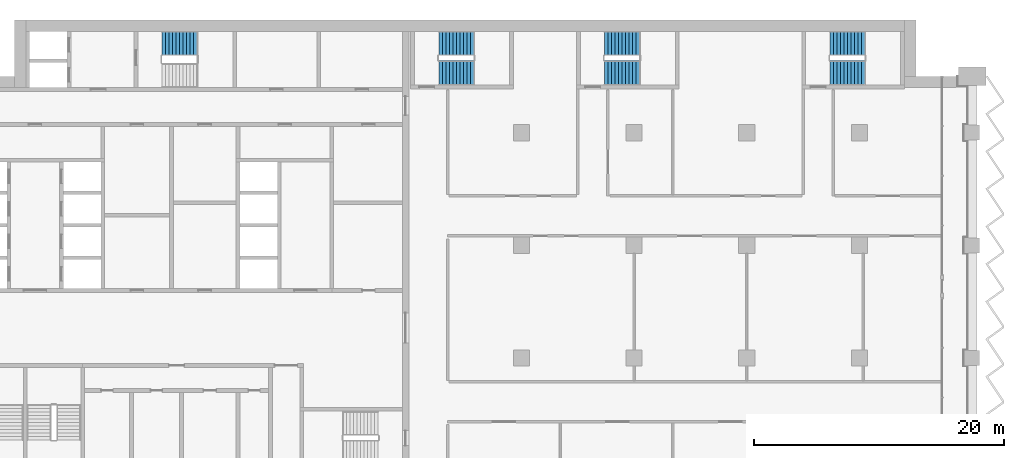
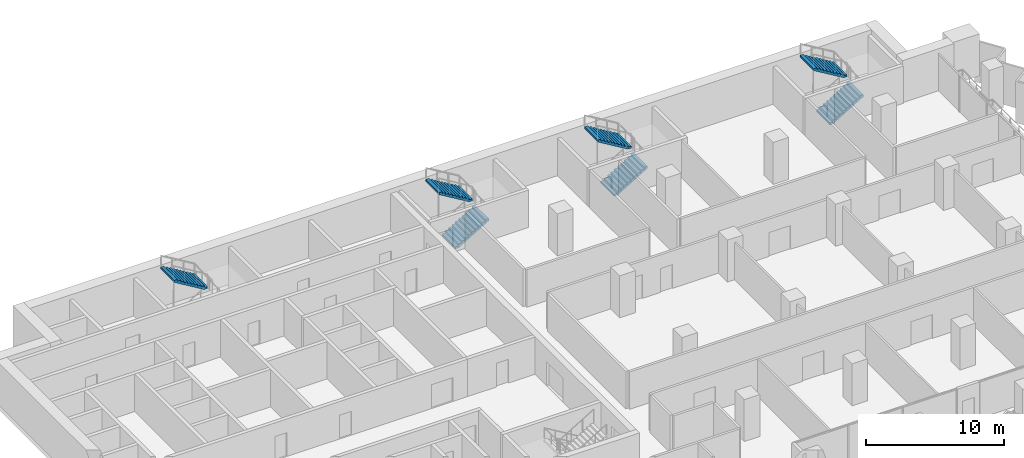
# One storey, part 17 of 22: 7 stair flights, 4 elements without a shape of their own.
"""IFC4 building model written with IfcOpenShell, lengths in metres."""

from ifc_helpers import new_model, si_unit, direction, frame, origin, place, context, subcontext, project, spatial, polyline, outline, extrude, material, type_object, element, aggregate, save


model = new_model("IFC4")

# Units and contexts
model_context = context("Model", 3, precision=1e-05, world=origin(), true_north=direction((0.0, 1.0)))
body_context = subcontext(model_context, "Body", "Model", "MODEL_VIEW")
ifc_project = project(units=[si_unit("LENGTHUNIT", "METRE"), si_unit("AREAUNIT", "SQUARE_METRE"), si_unit("VOLUMEUNIT", "CUBIC_METRE"), si_unit("PLANEANGLEUNIT", "RADIAN"), si_unit("MASSUNIT", "GRAM", prefix="KILO")], contexts=[model_context])

# Site, building, storey
site_placement = place(None, origin())
site = spatial("IfcSite", under=ifc_project, at=site_placement, CompositionType="ELEMENT")
building_placement = place(site_placement, origin())
building = spatial("IfcBuilding", under=site, at=building_placement, Name="Hunhe Ridgeline Campus", CompositionType="ELEMENT")
storey_placement = place(building_placement, frame((0.0, 0.0, 88.5)))
storey = spatial("IfcBuildingStorey", under=building, at=storey_placement, Name="L21", CompositionType="ELEMENT", Elevation=88.5)

# Stair, stair flight
ifc_material = material(Name="Concrete C40", Category="concrete")
stair_type = type_object("IfcStairType", Name="Reinforced concrete dog-leg stair 1950 Concrete C40", PredefinedType="HALF_TURN_STAIR", material=ifc_material)
stair_1_placement = place(storey_placement, origin())
stair_1 = element("IfcStair", 1, at=stair_1_placement, inside=storey, type_object=stair_type, Name="L21 S1", PredefinedType="HALF_TURN_STAIR")
stair_flight_type = type_object("IfcStairFlightType", Name="Reinforced concrete stair flight 1950 Concrete C40", PredefinedType="STRAIGHT", material=ifc_material)
stair_flight_1_placement = place(storey_placement, frame((19.10009765625, 97.125, 1.85009765625), z_axis=(0.0, 0.0, 1.0), x_axis=(-1.0, 0.0, 0.0)))
stair_flight_1 = element("IfcStairFlight", 2, at=stair_flight_1_placement, type_object=stair_flight_type, Name="ST1 flight 2", NumberOfRisers=11, NumberOfTreads=10, PredefinedType="STRAIGHT", RiserHeight=0.168181818, TreadLength=0.28, context=body_context, shape_type="SweptSolid", body=[
    extrude(outline(polyline([(0.0, 0.0), (0.0, 0.168212890625), (0.280029296875, 0.168212890625), (0.280029296875, 0.33642578125), (0.56005859375, 0.33642578125), (0.56005859375, 0.504638671875), (0.840087890625, 0.504638671875), (0.840087890625, 0.672607421875), (1.1201171875, 0.672607421875), (1.1201171875, 0.8408203125), (1.39990234375, 0.8408203125), (1.39990234375, 1.009033203125), (1.679931640625, 1.009033203125), (1.679931640625, 1.17724609375), (1.9599609375, 1.17724609375), (1.9599609375, 1.345458984375), (2.239990234375, 1.345458984375), (2.239990234375, 1.513671875), (2.52001953125, 1.513671875), (2.52001953125, 1.681884765625), (2.800048828125, 1.681884765625), (2.800048828125, 1.85009765625), (2.800048828125, 1.5068359375), (0.291015625, 0.0), (0.0, 0.0)])), frame((0.0, 0.97509765625, 0.0), z_axis=(0.0, -1.0, 0.0), x_axis=(1.0, 0.0, 0.0)), (0.0, 0.0, 1.0), 1.949951171875),
    extrude(outline(polyline([(0.030029296875, 0.030029296875), (0.030029296875, 0.13818359375), (0.31005859375, 0.13818359375), (0.31005859375, 0.306396484375), (0.590087890625, 0.306396484375), (0.590087890625, 0.474609375), (0.8701171875, 0.474609375), (0.8701171875, 0.642578125), (1.14990234375, 0.642578125), (1.14990234375, 0.810791015625), (1.429931640625, 0.810791015625), (1.429931640625, 0.97900390625), (1.7099609375, 0.97900390625), (1.7099609375, 1.147216796875), (1.989990234375, 1.147216796875), (1.989990234375, 1.3154296875), (2.27001953125, 1.3154296875), (2.27001953125, 1.483642578125), (2.550048828125, 1.483642578125), (2.550048828125, 1.65185546875), (2.77001953125, 1.65185546875), (2.77001953125, 1.52392578125), (0.28271484375, 0.030029296875), (0.030029296875, 0.030029296875)])), frame((0.0, -0.070068359375, 0.0), z_axis=(0.0, -1.0, 0.0), x_axis=(1.0, 0.0, 0.0)), (0.0, 0.0, 1.0), 0.019775390625),
    extrude(outline(polyline([(0.030029296875, 0.030029296875), (0.030029296875, 0.13818359375), (0.31005859375, 0.13818359375), (0.31005859375, 0.306396484375), (0.590087890625, 0.306396484375), (0.590087890625, 0.474609375), (0.8701171875, 0.474609375), (0.8701171875, 0.642578125), (1.14990234375, 0.642578125), (1.14990234375, 0.810791015625), (1.429931640625, 0.810791015625), (1.429931640625, 0.97900390625), (1.7099609375, 0.97900390625), (1.7099609375, 1.147216796875), (1.989990234375, 1.147216796875), (1.989990234375, 1.3154296875), (2.27001953125, 1.3154296875), (2.27001953125, 1.483642578125), (2.550048828125, 1.483642578125), (2.550048828125, 1.65185546875), (2.77001953125, 1.65185546875), (2.77001953125, 1.52392578125), (0.28271484375, 0.030029296875), (0.030029296875, 0.030029296875)])), frame((0.0, 0.010009765625, 0.0), z_axis=(0.0, -1.0, 0.0), x_axis=(1.0, 0.0, 0.0)), (0.0, 0.0, 1.0), 0.019775390625),
    extrude(outline(polyline([(0.030029296875, 0.030029296875), (0.030029296875, 0.13818359375), (0.31005859375, 0.13818359375), (0.31005859375, 0.306396484375), (0.590087890625, 0.306396484375), (0.590087890625, 0.474609375), (0.8701171875, 0.474609375), (0.8701171875, 0.642578125), (1.14990234375, 0.642578125), (1.14990234375, 0.810791015625), (1.429931640625, 0.810791015625), (1.429931640625, 0.97900390625), (1.7099609375, 0.97900390625), (1.7099609375, 1.147216796875), (1.989990234375, 1.147216796875), (1.989990234375, 1.3154296875), (2.27001953125, 1.3154296875), (2.27001953125, 1.483642578125), (2.550048828125, 1.483642578125), (2.550048828125, 1.65185546875), (2.77001953125, 1.65185546875), (2.77001953125, 1.52392578125), (0.28271484375, 0.030029296875), (0.030029296875, 0.030029296875)])), frame((0.0, 0.090087890625, 0.0), z_axis=(0.0, -1.0, 0.0), x_axis=(1.0, 0.0, 0.0)), (0.0, 0.0, 1.0), 0.019775390625),
])
aggregate(stair_1, [stair_flight_1])

# Stair, stair flights
stair_2_placement = place(storey_placement, origin())
stair_2 = element("IfcStair", 3, at=stair_2_placement, inside=storey, type_object=stair_type, Name="L21 E1", PredefinedType="HALF_TURN_STAIR")
stair_flight_2_placement = place(storey_placement, frame((38.39990234375, 94.77490234375, 0.0), z_axis=(0.0, 0.0, 1.0), x_axis=(1.0, 0.0, 0.0)))
stair_flight_2 = element("IfcStairFlight", 4, at=stair_flight_2_placement, type_object=stair_flight_type, Name="ST5 flight 1", NumberOfRisers=11, NumberOfTreads=10, PredefinedType="STRAIGHT", RiserHeight=0.168181818, TreadLength=0.28, context=body_context, shape_type="SweptSolid", body=[
    extrude(outline(polyline([(0.0, 0.0), (0.0, 0.168212890625), (0.280029296875, 0.168212890625), (0.280029296875, 0.33642578125), (0.56005859375, 0.33642578125), (0.56005859375, 0.504638671875), (0.840087890625, 0.504638671875), (0.840087890625, 0.672607421875), (1.1201171875, 0.672607421875), (1.1201171875, 0.8408203125), (1.39990234375, 0.8408203125), (1.39990234375, 1.009033203125), (1.679931640625, 1.009033203125), (1.679931640625, 1.17724609375), (1.9599609375, 1.17724609375), (1.9599609375, 1.345458984375), (2.239990234375, 1.345458984375), (2.239990234375, 1.513671875), (2.52001953125, 1.513671875), (2.52001953125, 1.681884765625), (2.800048828125, 1.681884765625), (2.800048828125, 1.85009765625), (2.800048828125, 1.5068359375), (0.291015625, 0.0), (0.0, 0.0)])), frame((0.0, 0.97509765625, 0.0), z_axis=(0.0, -1.0, 0.0), x_axis=(1.0, 0.0, 0.0)), (0.0, 0.0, 1.0), 1.949951171875),
    extrude(outline(polyline([(0.030029296875, 0.030029296875), (0.030029296875, 0.13818359375), (0.31005859375, 0.13818359375), (0.31005859375, 0.306396484375), (0.590087890625, 0.306396484375), (0.590087890625, 0.474609375), (0.8701171875, 0.474609375), (0.8701171875, 0.642578125), (1.14990234375, 0.642578125), (1.14990234375, 0.810791015625), (1.429931640625, 0.810791015625), (1.429931640625, 0.97900390625), (1.7099609375, 0.97900390625), (1.7099609375, 1.147216796875), (1.989990234375, 1.147216796875), (1.989990234375, 1.3154296875), (2.27001953125, 1.3154296875), (2.27001953125, 1.483642578125), (2.550048828125, 1.483642578125), (2.550048828125, 1.65185546875), (2.77001953125, 1.65185546875), (2.77001953125, 1.52392578125), (0.28271484375, 0.030029296875), (0.030029296875, 0.030029296875)])), frame((0.0, -0.070068359375, 0.0), z_axis=(0.0, -1.0, 0.0), x_axis=(1.0, 0.0, 0.0)), (0.0, 0.0, 1.0), 0.019775390625),
    extrude(outline(polyline([(0.030029296875, 0.030029296875), (0.030029296875, 0.13818359375), (0.31005859375, 0.13818359375), (0.31005859375, 0.306396484375), (0.590087890625, 0.306396484375), (0.590087890625, 0.474609375), (0.8701171875, 0.474609375), (0.8701171875, 0.642578125), (1.14990234375, 0.642578125), (1.14990234375, 0.810791015625), (1.429931640625, 0.810791015625), (1.429931640625, 0.97900390625), (1.7099609375, 0.97900390625), (1.7099609375, 1.147216796875), (1.989990234375, 1.147216796875), (1.989990234375, 1.3154296875), (2.27001953125, 1.3154296875), (2.27001953125, 1.483642578125), (2.550048828125, 1.483642578125), (2.550048828125, 1.65185546875), (2.77001953125, 1.65185546875), (2.77001953125, 1.52392578125), (0.28271484375, 0.030029296875), (0.030029296875, 0.030029296875)])), frame((0.0, 0.010009765625, 0.0), z_axis=(0.0, -1.0, 0.0), x_axis=(1.0, 0.0, 0.0)), (0.0, 0.0, 1.0), 0.019775390625),
    extrude(outline(polyline([(0.030029296875, 0.030029296875), (0.030029296875, 0.13818359375), (0.31005859375, 0.13818359375), (0.31005859375, 0.306396484375), (0.590087890625, 0.306396484375), (0.590087890625, 0.474609375), (0.8701171875, 0.474609375), (0.8701171875, 0.642578125), (1.14990234375, 0.642578125), (1.14990234375, 0.810791015625), (1.429931640625, 0.810791015625), (1.429931640625, 0.97900390625), (1.7099609375, 0.97900390625), (1.7099609375, 1.147216796875), (1.989990234375, 1.147216796875), (1.989990234375, 1.3154296875), (2.27001953125, 1.3154296875), (2.27001953125, 1.483642578125), (2.550048828125, 1.483642578125), (2.550048828125, 1.65185546875), (2.77001953125, 1.65185546875), (2.77001953125, 1.52392578125), (0.28271484375, 0.030029296875), (0.030029296875, 0.030029296875)])), frame((0.0, 0.090087890625, 0.0), z_axis=(0.0, -1.0, 0.0), x_axis=(1.0, 0.0, 0.0)), (0.0, 0.0, 1.0), 0.019775390625),
])
stair_flight_3_placement = place(storey_placement, frame((41.199951171875, 97.125, 1.85009765625), z_axis=(0.0, 0.0, 1.0), x_axis=(-1.0, 0.0, 0.0)))
stair_flight_3 = element("IfcStairFlight", 5, at=stair_flight_3_placement, type_object=stair_flight_type, Name="ST5 flight 2", NumberOfRisers=11, NumberOfTreads=10, PredefinedType="STRAIGHT", RiserHeight=0.168181818, TreadLength=0.28, context=body_context, shape_type="SweptSolid", body=[
    extrude(outline(polyline([(0.0, 0.0), (0.0, 0.168212890625), (0.280029296875, 0.168212890625), (0.280029296875, 0.33642578125), (0.56005859375, 0.33642578125), (0.56005859375, 0.504638671875), (0.840087890625, 0.504638671875), (0.840087890625, 0.672607421875), (1.1201171875, 0.672607421875), (1.1201171875, 0.8408203125), (1.39990234375, 0.8408203125), (1.39990234375, 1.009033203125), (1.679931640625, 1.009033203125), (1.679931640625, 1.17724609375), (1.9599609375, 1.17724609375), (1.9599609375, 1.345458984375), (2.239990234375, 1.345458984375), (2.239990234375, 1.513671875), (2.52001953125, 1.513671875), (2.52001953125, 1.681884765625), (2.800048828125, 1.681884765625), (2.800048828125, 1.85009765625), (2.800048828125, 1.5068359375), (0.291015625, 0.0), (0.0, 0.0)])), frame((0.0, 0.97509765625, 0.0), z_axis=(0.0, -1.0, 0.0), x_axis=(1.0, 0.0, 0.0)), (0.0, 0.0, 1.0), 1.949951171875),
    extrude(outline(polyline([(0.030029296875, 0.030029296875), (0.030029296875, 0.13818359375), (0.31005859375, 0.13818359375), (0.31005859375, 0.306396484375), (0.590087890625, 0.306396484375), (0.590087890625, 0.474609375), (0.8701171875, 0.474609375), (0.8701171875, 0.642578125), (1.14990234375, 0.642578125), (1.14990234375, 0.810791015625), (1.429931640625, 0.810791015625), (1.429931640625, 0.97900390625), (1.7099609375, 0.97900390625), (1.7099609375, 1.147216796875), (1.989990234375, 1.147216796875), (1.989990234375, 1.3154296875), (2.27001953125, 1.3154296875), (2.27001953125, 1.483642578125), (2.550048828125, 1.483642578125), (2.550048828125, 1.65185546875), (2.77001953125, 1.65185546875), (2.77001953125, 1.52392578125), (0.28271484375, 0.030029296875), (0.030029296875, 0.030029296875)])), frame((0.0, -0.070068359375, 0.0), z_axis=(0.0, -1.0, 0.0), x_axis=(1.0, 0.0, 0.0)), (0.0, 0.0, 1.0), 0.019775390625),
    extrude(outline(polyline([(0.030029296875, 0.030029296875), (0.030029296875, 0.13818359375), (0.31005859375, 0.13818359375), (0.31005859375, 0.306396484375), (0.590087890625, 0.306396484375), (0.590087890625, 0.474609375), (0.8701171875, 0.474609375), (0.8701171875, 0.642578125), (1.14990234375, 0.642578125), (1.14990234375, 0.810791015625), (1.429931640625, 0.810791015625), (1.429931640625, 0.97900390625), (1.7099609375, 0.97900390625), (1.7099609375, 1.147216796875), (1.989990234375, 1.147216796875), (1.989990234375, 1.3154296875), (2.27001953125, 1.3154296875), (2.27001953125, 1.483642578125), (2.550048828125, 1.483642578125), (2.550048828125, 1.65185546875), (2.77001953125, 1.65185546875), (2.77001953125, 1.52392578125), (0.28271484375, 0.030029296875), (0.030029296875, 0.030029296875)])), frame((0.0, 0.010009765625, 0.0), z_axis=(0.0, -1.0, 0.0), x_axis=(1.0, 0.0, 0.0)), (0.0, 0.0, 1.0), 0.019775390625),
    extrude(outline(polyline([(0.030029296875, 0.030029296875), (0.030029296875, 0.13818359375), (0.31005859375, 0.13818359375), (0.31005859375, 0.306396484375), (0.590087890625, 0.306396484375), (0.590087890625, 0.474609375), (0.8701171875, 0.474609375), (0.8701171875, 0.642578125), (1.14990234375, 0.642578125), (1.14990234375, 0.810791015625), (1.429931640625, 0.810791015625), (1.429931640625, 0.97900390625), (1.7099609375, 0.97900390625), (1.7099609375, 1.147216796875), (1.989990234375, 1.147216796875), (1.989990234375, 1.3154296875), (2.27001953125, 1.3154296875), (2.27001953125, 1.483642578125), (2.550048828125, 1.483642578125), (2.550048828125, 1.65185546875), (2.77001953125, 1.65185546875), (2.77001953125, 1.52392578125), (0.28271484375, 0.030029296875), (0.030029296875, 0.030029296875)])), frame((0.0, 0.090087890625, 0.0), z_axis=(0.0, -1.0, 0.0), x_axis=(1.0, 0.0, 0.0)), (0.0, 0.0, 1.0), 0.019775390625),
])
aggregate(stair_2, [stair_flight_2, stair_flight_3])

stair_3_placement = place(storey_placement, origin())
stair_3 = element("IfcStair", 6, at=stair_3_placement, inside=storey, type_object=stair_type, Name="L21 E2", PredefinedType="HALF_TURN_STAIR")
stair_flight_4_placement = place(storey_placement, frame((51.64990234375, 94.77490234375, 0.0), z_axis=(0.0, 0.0, 1.0), x_axis=(1.0, 0.0, 0.0)))
stair_flight_4 = element("IfcStairFlight", 7, at=stair_flight_4_placement, type_object=stair_flight_type, Name="ST6 flight 1", NumberOfRisers=11, NumberOfTreads=10, PredefinedType="STRAIGHT", RiserHeight=0.168181818, TreadLength=0.28, context=body_context, shape_type="SweptSolid", body=[
    extrude(outline(polyline([(0.0, 0.0), (0.0, 0.168212890625), (0.280029296875, 0.168212890625), (0.280029296875, 0.33642578125), (0.56005859375, 0.33642578125), (0.56005859375, 0.504638671875), (0.840087890625, 0.504638671875), (0.840087890625, 0.672607421875), (1.1201171875, 0.672607421875), (1.1201171875, 0.8408203125), (1.39990234375, 0.8408203125), (1.39990234375, 1.009033203125), (1.679931640625, 1.009033203125), (1.679931640625, 1.17724609375), (1.9599609375, 1.17724609375), (1.9599609375, 1.345458984375), (2.239990234375, 1.345458984375), (2.239990234375, 1.513671875), (2.52001953125, 1.513671875), (2.52001953125, 1.681884765625), (2.800048828125, 1.681884765625), (2.800048828125, 1.85009765625), (2.800048828125, 1.5068359375), (0.291015625, 0.0), (0.0, 0.0)])), frame((0.0, 0.97509765625, 0.0), z_axis=(0.0, -1.0, 0.0), x_axis=(1.0, 0.0, 0.0)), (0.0, 0.0, 1.0), 1.949951171875),
    extrude(outline(polyline([(0.030029296875, 0.030029296875), (0.030029296875, 0.13818359375), (0.31005859375, 0.13818359375), (0.31005859375, 0.306396484375), (0.590087890625, 0.306396484375), (0.590087890625, 0.474609375), (0.8701171875, 0.474609375), (0.8701171875, 0.642578125), (1.14990234375, 0.642578125), (1.14990234375, 0.810791015625), (1.429931640625, 0.810791015625), (1.429931640625, 0.97900390625), (1.7099609375, 0.97900390625), (1.7099609375, 1.147216796875), (1.989990234375, 1.147216796875), (1.989990234375, 1.3154296875), (2.27001953125, 1.3154296875), (2.27001953125, 1.483642578125), (2.550048828125, 1.483642578125), (2.550048828125, 1.65185546875), (2.77001953125, 1.65185546875), (2.77001953125, 1.52392578125), (0.28271484375, 0.030029296875), (0.030029296875, 0.030029296875)])), frame((0.0, -0.070068359375, 0.0), z_axis=(0.0, -1.0, 0.0), x_axis=(1.0, 0.0, 0.0)), (0.0, 0.0, 1.0), 0.019775390625),
    extrude(outline(polyline([(0.030029296875, 0.030029296875), (0.030029296875, 0.13818359375), (0.31005859375, 0.13818359375), (0.31005859375, 0.306396484375), (0.590087890625, 0.306396484375), (0.590087890625, 0.474609375), (0.8701171875, 0.474609375), (0.8701171875, 0.642578125), (1.14990234375, 0.642578125), (1.14990234375, 0.810791015625), (1.429931640625, 0.810791015625), (1.429931640625, 0.97900390625), (1.7099609375, 0.97900390625), (1.7099609375, 1.147216796875), (1.989990234375, 1.147216796875), (1.989990234375, 1.3154296875), (2.27001953125, 1.3154296875), (2.27001953125, 1.483642578125), (2.550048828125, 1.483642578125), (2.550048828125, 1.65185546875), (2.77001953125, 1.65185546875), (2.77001953125, 1.52392578125), (0.28271484375, 0.030029296875), (0.030029296875, 0.030029296875)])), frame((0.0, 0.010009765625, 0.0), z_axis=(0.0, -1.0, 0.0), x_axis=(1.0, 0.0, 0.0)), (0.0, 0.0, 1.0), 0.019775390625),
    extrude(outline(polyline([(0.030029296875, 0.030029296875), (0.030029296875, 0.13818359375), (0.31005859375, 0.13818359375), (0.31005859375, 0.306396484375), (0.590087890625, 0.306396484375), (0.590087890625, 0.474609375), (0.8701171875, 0.474609375), (0.8701171875, 0.642578125), (1.14990234375, 0.642578125), (1.14990234375, 0.810791015625), (1.429931640625, 0.810791015625), (1.429931640625, 0.97900390625), (1.7099609375, 0.97900390625), (1.7099609375, 1.147216796875), (1.989990234375, 1.147216796875), (1.989990234375, 1.3154296875), (2.27001953125, 1.3154296875), (2.27001953125, 1.483642578125), (2.550048828125, 1.483642578125), (2.550048828125, 1.65185546875), (2.77001953125, 1.65185546875), (2.77001953125, 1.52392578125), (0.28271484375, 0.030029296875), (0.030029296875, 0.030029296875)])), frame((0.0, 0.090087890625, 0.0), z_axis=(0.0, -1.0, 0.0), x_axis=(1.0, 0.0, 0.0)), (0.0, 0.0, 1.0), 0.019775390625),
])
stair_flight_5_placement = place(storey_placement, frame((54.449951171875, 97.125, 1.85009765625), z_axis=(0.0, 0.0, 1.0), x_axis=(-1.0, 0.0, 0.0)))
stair_flight_5 = element("IfcStairFlight", 8, at=stair_flight_5_placement, type_object=stair_flight_type, Name="ST6 flight 2", NumberOfRisers=11, NumberOfTreads=10, PredefinedType="STRAIGHT", RiserHeight=0.168181818, TreadLength=0.28, context=body_context, shape_type="SweptSolid", body=[
    extrude(outline(polyline([(0.0, 0.0), (0.0, 0.168212890625), (0.280029296875, 0.168212890625), (0.280029296875, 0.33642578125), (0.56005859375, 0.33642578125), (0.56005859375, 0.504638671875), (0.840087890625, 0.504638671875), (0.840087890625, 0.672607421875), (1.1201171875, 0.672607421875), (1.1201171875, 0.8408203125), (1.39990234375, 0.8408203125), (1.39990234375, 1.009033203125), (1.679931640625, 1.009033203125), (1.679931640625, 1.17724609375), (1.9599609375, 1.17724609375), (1.9599609375, 1.345458984375), (2.239990234375, 1.345458984375), (2.239990234375, 1.513671875), (2.52001953125, 1.513671875), (2.52001953125, 1.681884765625), (2.800048828125, 1.681884765625), (2.800048828125, 1.85009765625), (2.800048828125, 1.5068359375), (0.291015625, 0.0), (0.0, 0.0)])), frame((0.0, 0.97509765625, 0.0), z_axis=(0.0, -1.0, 0.0), x_axis=(1.0, 0.0, 0.0)), (0.0, 0.0, 1.0), 1.949951171875),
    extrude(outline(polyline([(0.030029296875, 0.030029296875), (0.030029296875, 0.13818359375), (0.31005859375, 0.13818359375), (0.31005859375, 0.306396484375), (0.590087890625, 0.306396484375), (0.590087890625, 0.474609375), (0.8701171875, 0.474609375), (0.8701171875, 0.642578125), (1.14990234375, 0.642578125), (1.14990234375, 0.810791015625), (1.429931640625, 0.810791015625), (1.429931640625, 0.97900390625), (1.7099609375, 0.97900390625), (1.7099609375, 1.147216796875), (1.989990234375, 1.147216796875), (1.989990234375, 1.3154296875), (2.27001953125, 1.3154296875), (2.27001953125, 1.483642578125), (2.550048828125, 1.483642578125), (2.550048828125, 1.65185546875), (2.77001953125, 1.65185546875), (2.77001953125, 1.52392578125), (0.28271484375, 0.030029296875), (0.030029296875, 0.030029296875)])), frame((0.0, -0.070068359375, 0.0), z_axis=(0.0, -1.0, 0.0), x_axis=(1.0, 0.0, 0.0)), (0.0, 0.0, 1.0), 0.019775390625),
    extrude(outline(polyline([(0.030029296875, 0.030029296875), (0.030029296875, 0.13818359375), (0.31005859375, 0.13818359375), (0.31005859375, 0.306396484375), (0.590087890625, 0.306396484375), (0.590087890625, 0.474609375), (0.8701171875, 0.474609375), (0.8701171875, 0.642578125), (1.14990234375, 0.642578125), (1.14990234375, 0.810791015625), (1.429931640625, 0.810791015625), (1.429931640625, 0.97900390625), (1.7099609375, 0.97900390625), (1.7099609375, 1.147216796875), (1.989990234375, 1.147216796875), (1.989990234375, 1.3154296875), (2.27001953125, 1.3154296875), (2.27001953125, 1.483642578125), (2.550048828125, 1.483642578125), (2.550048828125, 1.65185546875), (2.77001953125, 1.65185546875), (2.77001953125, 1.52392578125), (0.28271484375, 0.030029296875), (0.030029296875, 0.030029296875)])), frame((0.0, 0.010009765625, 0.0), z_axis=(0.0, -1.0, 0.0), x_axis=(1.0, 0.0, 0.0)), (0.0, 0.0, 1.0), 0.019775390625),
    extrude(outline(polyline([(0.030029296875, 0.030029296875), (0.030029296875, 0.13818359375), (0.31005859375, 0.13818359375), (0.31005859375, 0.306396484375), (0.590087890625, 0.306396484375), (0.590087890625, 0.474609375), (0.8701171875, 0.474609375), (0.8701171875, 0.642578125), (1.14990234375, 0.642578125), (1.14990234375, 0.810791015625), (1.429931640625, 0.810791015625), (1.429931640625, 0.97900390625), (1.7099609375, 0.97900390625), (1.7099609375, 1.147216796875), (1.989990234375, 1.147216796875), (1.989990234375, 1.3154296875), (2.27001953125, 1.3154296875), (2.27001953125, 1.483642578125), (2.550048828125, 1.483642578125), (2.550048828125, 1.65185546875), (2.77001953125, 1.65185546875), (2.77001953125, 1.52392578125), (0.28271484375, 0.030029296875), (0.030029296875, 0.030029296875)])), frame((0.0, 0.090087890625, 0.0), z_axis=(0.0, -1.0, 0.0), x_axis=(1.0, 0.0, 0.0)), (0.0, 0.0, 1.0), 0.019775390625),
])
aggregate(stair_3, [stair_flight_4, stair_flight_5])

stair_4_placement = place(storey_placement, origin())
stair_4 = element("IfcStair", 9, at=stair_4_placement, inside=storey, type_object=stair_type, Name="L21 E3", PredefinedType="HALF_TURN_STAIR")
stair_flight_6_placement = place(storey_placement, frame((69.64990234375, 94.77490234375, 0.0), z_axis=(0.0, 0.0, 1.0), x_axis=(1.0, 0.0, 0.0)))
stair_flight_6 = element("IfcStairFlight", 10, at=stair_flight_6_placement, type_object=stair_flight_type, Name="ST7 flight 1", NumberOfRisers=11, NumberOfTreads=10, PredefinedType="STRAIGHT", RiserHeight=0.168181818, TreadLength=0.28, context=body_context, shape_type="SweptSolid", body=[
    extrude(outline(polyline([(0.0, 0.0), (0.0, 0.168212890625), (0.280029296875, 0.168212890625), (0.280029296875, 0.33642578125), (0.56005859375, 0.33642578125), (0.56005859375, 0.504638671875), (0.840087890625, 0.504638671875), (0.840087890625, 0.672607421875), (1.1201171875, 0.672607421875), (1.1201171875, 0.8408203125), (1.39990234375, 0.8408203125), (1.39990234375, 1.009033203125), (1.679931640625, 1.009033203125), (1.679931640625, 1.17724609375), (1.9599609375, 1.17724609375), (1.9599609375, 1.345458984375), (2.239990234375, 1.345458984375), (2.239990234375, 1.513671875), (2.52001953125, 1.513671875), (2.52001953125, 1.681884765625), (2.800048828125, 1.681884765625), (2.800048828125, 1.85009765625), (2.800048828125, 1.5068359375), (0.291015625, 0.0), (0.0, 0.0)])), frame((0.0, 0.97509765625, 0.0), z_axis=(0.0, -1.0, 0.0), x_axis=(1.0, 0.0, 0.0)), (0.0, 0.0, 1.0), 1.949951171875),
    extrude(outline(polyline([(0.030029296875, 0.030029296875), (0.030029296875, 0.13818359375), (0.31005859375, 0.13818359375), (0.31005859375, 0.306396484375), (0.590087890625, 0.306396484375), (0.590087890625, 0.474609375), (0.8701171875, 0.474609375), (0.8701171875, 0.642578125), (1.14990234375, 0.642578125), (1.14990234375, 0.810791015625), (1.429931640625, 0.810791015625), (1.429931640625, 0.97900390625), (1.7099609375, 0.97900390625), (1.7099609375, 1.147216796875), (1.989990234375, 1.147216796875), (1.989990234375, 1.3154296875), (2.27001953125, 1.3154296875), (2.27001953125, 1.483642578125), (2.550048828125, 1.483642578125), (2.550048828125, 1.65185546875), (2.77001953125, 1.65185546875), (2.77001953125, 1.52392578125), (0.28271484375, 0.030029296875), (0.030029296875, 0.030029296875)])), frame((0.0, -0.070068359375, 0.0), z_axis=(0.0, -1.0, 0.0), x_axis=(1.0, 0.0, 0.0)), (0.0, 0.0, 1.0), 0.019775390625),
    extrude(outline(polyline([(0.030029296875, 0.030029296875), (0.030029296875, 0.13818359375), (0.31005859375, 0.13818359375), (0.31005859375, 0.306396484375), (0.590087890625, 0.306396484375), (0.590087890625, 0.474609375), (0.8701171875, 0.474609375), (0.8701171875, 0.642578125), (1.14990234375, 0.642578125), (1.14990234375, 0.810791015625), (1.429931640625, 0.810791015625), (1.429931640625, 0.97900390625), (1.7099609375, 0.97900390625), (1.7099609375, 1.147216796875), (1.989990234375, 1.147216796875), (1.989990234375, 1.3154296875), (2.27001953125, 1.3154296875), (2.27001953125, 1.483642578125), (2.550048828125, 1.483642578125), (2.550048828125, 1.65185546875), (2.77001953125, 1.65185546875), (2.77001953125, 1.52392578125), (0.28271484375, 0.030029296875), (0.030029296875, 0.030029296875)])), frame((0.0, 0.010009765625, 0.0), z_axis=(0.0, -1.0, 0.0), x_axis=(1.0, 0.0, 0.0)), (0.0, 0.0, 1.0), 0.019775390625),
    extrude(outline(polyline([(0.030029296875, 0.030029296875), (0.030029296875, 0.13818359375), (0.31005859375, 0.13818359375), (0.31005859375, 0.306396484375), (0.590087890625, 0.306396484375), (0.590087890625, 0.474609375), (0.8701171875, 0.474609375), (0.8701171875, 0.642578125), (1.14990234375, 0.642578125), (1.14990234375, 0.810791015625), (1.429931640625, 0.810791015625), (1.429931640625, 0.97900390625), (1.7099609375, 0.97900390625), (1.7099609375, 1.147216796875), (1.989990234375, 1.147216796875), (1.989990234375, 1.3154296875), (2.27001953125, 1.3154296875), (2.27001953125, 1.483642578125), (2.550048828125, 1.483642578125), (2.550048828125, 1.65185546875), (2.77001953125, 1.65185546875), (2.77001953125, 1.52392578125), (0.28271484375, 0.030029296875), (0.030029296875, 0.030029296875)])), frame((0.0, 0.090087890625, 0.0), z_axis=(0.0, -1.0, 0.0), x_axis=(1.0, 0.0, 0.0)), (0.0, 0.0, 1.0), 0.019775390625),
])
stair_flight_7_placement = place(storey_placement, frame((72.449951171875, 97.125, 1.85009765625), z_axis=(0.0, 0.0, 1.0), x_axis=(-1.0, 0.0, 0.0)))
stair_flight_7 = element("IfcStairFlight", 11, at=stair_flight_7_placement, type_object=stair_flight_type, Name="ST7 flight 2", NumberOfRisers=11, NumberOfTreads=10, PredefinedType="STRAIGHT", RiserHeight=0.168181818, TreadLength=0.28, context=body_context, shape_type="SweptSolid", body=[
    extrude(outline(polyline([(0.0, 0.0), (0.0, 0.168212890625), (0.280029296875, 0.168212890625), (0.280029296875, 0.33642578125), (0.56005859375, 0.33642578125), (0.56005859375, 0.504638671875), (0.840087890625, 0.504638671875), (0.840087890625, 0.672607421875), (1.1201171875, 0.672607421875), (1.1201171875, 0.8408203125), (1.39990234375, 0.8408203125), (1.39990234375, 1.009033203125), (1.679931640625, 1.009033203125), (1.679931640625, 1.17724609375), (1.9599609375, 1.17724609375), (1.9599609375, 1.345458984375), (2.239990234375, 1.345458984375), (2.239990234375, 1.513671875), (2.52001953125, 1.513671875), (2.52001953125, 1.681884765625), (2.800048828125, 1.681884765625), (2.800048828125, 1.85009765625), (2.800048828125, 1.5068359375), (0.291015625, 0.0), (0.0, 0.0)])), frame((0.0, 0.97509765625, 0.0), z_axis=(0.0, -1.0, 0.0), x_axis=(1.0, 0.0, 0.0)), (0.0, 0.0, 1.0), 1.949951171875),
    extrude(outline(polyline([(0.030029296875, 0.030029296875), (0.030029296875, 0.13818359375), (0.31005859375, 0.13818359375), (0.31005859375, 0.306396484375), (0.590087890625, 0.306396484375), (0.590087890625, 0.474609375), (0.8701171875, 0.474609375), (0.8701171875, 0.642578125), (1.14990234375, 0.642578125), (1.14990234375, 0.810791015625), (1.429931640625, 0.810791015625), (1.429931640625, 0.97900390625), (1.7099609375, 0.97900390625), (1.7099609375, 1.147216796875), (1.989990234375, 1.147216796875), (1.989990234375, 1.3154296875), (2.27001953125, 1.3154296875), (2.27001953125, 1.483642578125), (2.550048828125, 1.483642578125), (2.550048828125, 1.65185546875), (2.77001953125, 1.65185546875), (2.77001953125, 1.52392578125), (0.28271484375, 0.030029296875), (0.030029296875, 0.030029296875)])), frame((0.0, -0.070068359375, 0.0), z_axis=(0.0, -1.0, 0.0), x_axis=(1.0, 0.0, 0.0)), (0.0, 0.0, 1.0), 0.019775390625),
    extrude(outline(polyline([(0.030029296875, 0.030029296875), (0.030029296875, 0.13818359375), (0.31005859375, 0.13818359375), (0.31005859375, 0.306396484375), (0.590087890625, 0.306396484375), (0.590087890625, 0.474609375), (0.8701171875, 0.474609375), (0.8701171875, 0.642578125), (1.14990234375, 0.642578125), (1.14990234375, 0.810791015625), (1.429931640625, 0.810791015625), (1.429931640625, 0.97900390625), (1.7099609375, 0.97900390625), (1.7099609375, 1.147216796875), (1.989990234375, 1.147216796875), (1.989990234375, 1.3154296875), (2.27001953125, 1.3154296875), (2.27001953125, 1.483642578125), (2.550048828125, 1.483642578125), (2.550048828125, 1.65185546875), (2.77001953125, 1.65185546875), (2.77001953125, 1.52392578125), (0.28271484375, 0.030029296875), (0.030029296875, 0.030029296875)])), frame((0.0, 0.010009765625, 0.0), z_axis=(0.0, -1.0, 0.0), x_axis=(1.0, 0.0, 0.0)), (0.0, 0.0, 1.0), 0.019775390625),
    extrude(outline(polyline([(0.030029296875, 0.030029296875), (0.030029296875, 0.13818359375), (0.31005859375, 0.13818359375), (0.31005859375, 0.306396484375), (0.590087890625, 0.306396484375), (0.590087890625, 0.474609375), (0.8701171875, 0.474609375), (0.8701171875, 0.642578125), (1.14990234375, 0.642578125), (1.14990234375, 0.810791015625), (1.429931640625, 0.810791015625), (1.429931640625, 0.97900390625), (1.7099609375, 0.97900390625), (1.7099609375, 1.147216796875), (1.989990234375, 1.147216796875), (1.989990234375, 1.3154296875), (2.27001953125, 1.3154296875), (2.27001953125, 1.483642578125), (2.550048828125, 1.483642578125), (2.550048828125, 1.65185546875), (2.77001953125, 1.65185546875), (2.77001953125, 1.52392578125), (0.28271484375, 0.030029296875), (0.030029296875, 0.030029296875)])), frame((0.0, 0.090087890625, 0.0), z_axis=(0.0, -1.0, 0.0), x_axis=(1.0, 0.0, 0.0)), (0.0, 0.0, 1.0), 0.019775390625),
])
aggregate(stair_4, [stair_flight_6, stair_flight_7])

save(model, "model.ifc")
